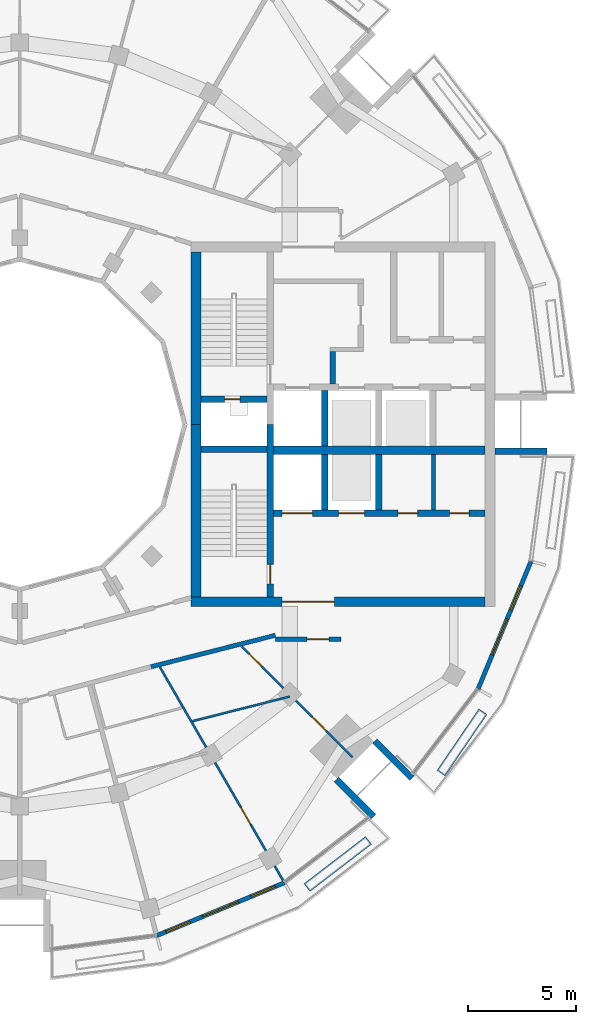
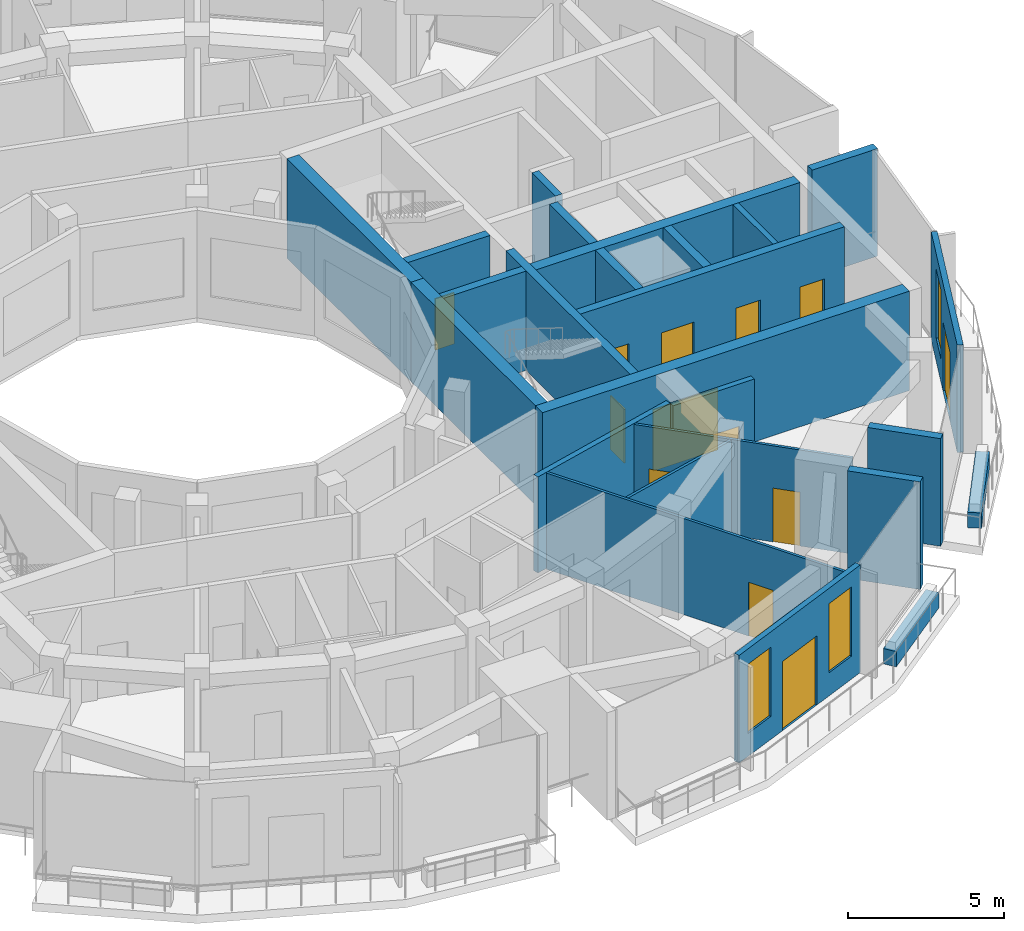
# One storey, part 11 of 17: 25 walls, 13 doors, 3 windows, 16 openings.
"""IFC4 building model written with IfcOpenShell, lengths in metres."""

import ifcopenshell
import ifcopenshell.guid

model = None  # the IFC model being written
_history = None  # IfcOwnerHistory: only IFC2X3 demands one
_inside = {}  # id of a spatial element -> (the spatial element, [elements in it])
_under = {}  # id of a project, library or spatial element -> (it, [spatial elements below it])
_declared = {}  # id of a project -> (the project, [libraries it declares])
_typed = {}  # id of a type object -> (the type object, [elements of that type])
_made_of = {}  # id of a material, layer set ... -> (it, [elements and type objects made of it])


def new_model(schema):
    """Start an empty IFC model of exactly this schema.

    Asked for "IFC4X3", IfcOpenShell would pick the latest addendum, in which some entities
    have other attributes; the version numbers below select the first issue.
    IFC2X3 requires an IfcOwnerHistory on every rooted entity: one is made here for all.
    """
    global model, _history
    if schema == "IFC4X3":
        model = ifcopenshell.file(schema_version=(4, 3, 0, 0))
    else:
        model = ifcopenshell.file(schema=schema)
    _inside.clear()
    _under.clear()
    _declared.clear()
    _typed.clear()
    _made_of.clear()
    _history = None
    if model.schema == "IFC2X3":
        org = make("IfcOrganization", Name="unknown")
        user = make(
            "IfcPersonAndOrganization",
            ThePerson=make("IfcPerson", FamilyName="unknown"),
            TheOrganization=org,
        )
        app = make(
            "IfcApplication",
            ApplicationDeveloper=org,
            Version="unknown",
            ApplicationFullName="unknown",
            ApplicationIdentifier="unknown",
        )
        _history = make(
            "IfcOwnerHistory",
            OwningUser=user,
            OwningApplication=app,
            ChangeAction="ADDED",
            CreationDate=0,
        )
    return model


def make(cls, **values):
    """One entity of the class cls with the attributes given. An attribute that is None is left unset."""
    return model.create_entity(
        cls, **{name: value for name, value in values.items() if value is not None}
    )


def rooted(cls, **values):
    """An entity with a GlobalId (a new one), such as an element, a storey or a relation."""
    return make(cls, GlobalId=ifcopenshell.guid.new(), OwnerHistory=_history, **values)


def si_unit(unit_type, name, prefix=None):
    """IfcSIUnit, for example si_unit("LENGTHUNIT", "METRE", prefix="MILLI")."""
    return make("IfcSIUnit", UnitType=unit_type, Prefix=prefix, Name=name)


def assignment(units):
    """IfcUnitAssignment: the units of a project."""
    return None if units is None else make("IfcUnitAssignment", Units=units)


def point(xyz):
    """IfcCartesianPoint."""
    return None if xyz is None else make("IfcCartesianPoint", Coordinates=xyz)


def direction(xyz):
    """IfcDirection."""
    return None if xyz is None else make("IfcDirection", DirectionRatios=xyz)


def frame(location, z_axis=None, x_axis=None):
    """IfcAxis2Placement3D, a coordinate frame: its origin and axes. An axis left out is left unset."""
    return make(
        "IfcAxis2Placement3D",
        Location=point(location),
        Axis=direction(z_axis),
        RefDirection=direction(x_axis),
    )


def frame_2d(location, x_axis=None):
    """IfcAxis2Placement2D, a coordinate frame in the plane: its origin and x axis."""
    return make(
        "IfcAxis2Placement2D", Location=point(location), RefDirection=direction(x_axis)
    )


def origin():
    """The frame at (0, 0, 0) with its axes left unset."""
    return frame((0.0, 0.0, 0.0))


def place(relative_to, where):
    """IfcLocalPlacement: puts the frame where relative to a parent placement (None: the world)."""
    return make(
        "IfcLocalPlacement", PlacementRelTo=relative_to, RelativePlacement=where
    )


def context(
    kind, dimensions, precision=None, world=None, true_north=None, identifier=None
):
    """IfcGeometricRepresentationContext, for example the 3D "Model" context."""
    return make(
        "IfcGeometricRepresentationContext",
        ContextIdentifier=identifier,
        ContextType=kind,
        CoordinateSpaceDimension=dimensions,
        Precision=precision,
        WorldCoordinateSystem=world,
        TrueNorth=true_north,
    )


def subcontext(parent, identifier, kind, view, scale=None):
    """IfcGeometricRepresentationSubContext, for example "Body" below "Model"."""
    return make(
        "IfcGeometricRepresentationSubContext",
        ContextIdentifier=identifier,
        ContextType=kind,
        ParentContext=parent,
        TargetScale=scale,
        TargetView=view,
    )


def project(units=None, contexts=None):
    """IfcProject with its units and contexts."""
    return rooted(
        "IfcProject",
        Name="project",
        RepresentationContexts=contexts,
        UnitsInContext=assignment(units),
    )


def spatial(cls, under=None, at=None, **own):
    """A site, building, storey or space (cls), placed at a placement, below another one or the project."""
    s = rooted(cls, ObjectPlacement=at, **own)
    if under is not None:
        _under.setdefault(under.id(), (under, []))[1].append(s)
    return s


def profile(cls, at=None, kind="AREA", **sizes):
    """A parametric profile (cls). Its sizes go by their IFC names, for example OverallWidth=200.0."""
    return make(cls, ProfileType=kind, Position=at, **sizes)


def rectangle(**sizes):
    """IfcRectangleProfileDef."""
    return profile("IfcRectangleProfileDef", **sizes)


def extrude(swept, where, along, depth):
    """IfcExtrudedAreaSolid: the profile swept, set in the frame where, extruded along a direction by depth."""
    return make(
        "IfcExtrudedAreaSolid",
        SweptArea=swept,
        Position=where,
        ExtrudedDirection=direction(along),
        Depth=depth,
    )


def shape(context_of_items, identifier, shape_type, items):
    """IfcShapeRepresentation: the items that make up one representation, for example the "Body"."""
    return make(
        "IfcShapeRepresentation",
        ContextOfItems=context_of_items,
        RepresentationIdentifier=identifier,
        RepresentationType=shape_type,
        Items=items,
    )


def material(Name=None, Category=None):
    """IfcMaterial."""
    return make("IfcMaterial", Name=Name, Category=Category)


def layer(
    of_material, thickness, ventilated=None, Name=None, Category=None, Priority=None
):
    """IfcMaterialLayer: one layer of a wall or slab, of a material (None: an air gap)."""
    return make(
        "IfcMaterialLayer",
        Material=of_material,
        LayerThickness=thickness,
        IsVentilated=ventilated,
        Name=Name,
        Category=Category,
        Priority=Priority,
    )


def layer_set(layers, Name=None):
    """IfcMaterialLayerSet."""
    return make("IfcMaterialLayerSet", MaterialLayers=layers, LayerSetName=Name)


def made_of(thing, what):
    """Note that an element or type object is made of a material, layer set ...; save() writes the relation."""
    if what is not None:
        _made_of.setdefault(what.id(), (what, []))[1].append(thing)
    return thing


def type_object(cls, material=None, **own):
    """A type object (cls), such as IfcWallType, which elements share."""
    return made_of(rooted(cls, **own), material)


def element(
    cls,
    number,
    at=None,
    inside=None,
    cuts=None,
    type_object=None,
    material=None,
    context=None,
    identifier="Body",
    shape_type=None,
    held_by="IfcProductDefinitionShape",
    body=None,
    shapes=None,
    **own,
):
    """One element of the class cls, such as IfcWall. Its Tag is "e" and its number.

    at: its placement. inside: the storey or other place that contains it. cuts: it is an
    opening in that element (IfcRelVoidsElement). A single representation is given by context,
    identifier, shape_type and body (its items); several are given by shapes. held_by: the class
    of the entity that holds the representations. save() writes the other relations.
    """
    e = rooted(cls, Tag="e%d" % number, ObjectPlacement=at, **own)
    if body is not None:
        shapes = [shape(context, identifier, shape_type, body)]
    if shapes is not None:
        e.Representation = make(held_by, Representations=shapes)
    if inside is not None:
        _inside.setdefault(inside.id(), (inside, []))[1].append(e)
    if cuts is not None:
        rooted(
            "IfcRelVoidsElement", RelatingBuildingElement=cuts, RelatedOpeningElement=e
        )
    if type_object is not None:
        _typed.setdefault(type_object.id(), (type_object, []))[1].append(e)
    return made_of(e, material)


def fill(opening, filler):
    """IfcRelFillsElement: the door or window that sits in an opening."""
    return rooted(
        "IfcRelFillsElement",
        RelatingOpeningElement=opening,
        RelatedBuildingElement=filler,
    )


def aggregate(whole, parts):
    """IfcRelAggregates: a whole, such as a stair, and the parts it consists of."""
    return rooted("IfcRelAggregates", RelatingObject=whole, RelatedObjects=parts)


def save(model, path):
    """Write the relations noted so far, then the file.

    IfcRelAggregates (storeys below a building ...), IfcRelContainedInSpatialStructure (elements
    in a storey), IfcRelDefinesByType, IfcRelAssociatesMaterial and IfcRelDeclares: one each for
    every whole, place, type object, material and project.
    """
    for whole, parts in _under.values():
        aggregate(whole, parts)
    for where, things in _inside.values():
        rooted(
            "IfcRelContainedInSpatialStructure",
            RelatedElements=things,
            RelatingStructure=where,
        )
    for kind, things in _typed.values():
        rooted("IfcRelDefinesByType", RelatedObjects=things, RelatingType=kind)
    for what, things in _made_of.values():
        rooted("IfcRelAssociatesMaterial", RelatedObjects=things, RelatingMaterial=what)
    for by, libraries in _declared.values():
        rooted("IfcRelDeclares", RelatingContext=by, RelatedDefinitions=libraries)
    model.write(path)


model = new_model("IFC4")

# Units and contexts
model_context = context("Model", 3, precision=1e-05, world=origin(), true_north=direction((0.0, 1.0)))
body_context = subcontext(model_context, "Body", "Model", "MODEL_VIEW")
ifc_project = project(units=[si_unit("LENGTHUNIT", "METRE"), si_unit("AREAUNIT", "SQUARE_METRE"), si_unit("VOLUMEUNIT", "CUBIC_METRE"), si_unit("PLANEANGLEUNIT", "RADIAN"), si_unit("MASSUNIT", "GRAM", prefix="KILO")], contexts=[model_context])

# Site, building, storey
site_placement = place(None, origin())
site = spatial("IfcSite", under=ifc_project, at=site_placement, CompositionType="ELEMENT")
building_placement = place(site_placement, origin())
building = spatial("IfcBuilding", under=site, at=building_placement, Name="Torre Brocal", CompositionType="ELEMENT")
storey_placement = place(building_placement, frame((0.0, 0.0, 275.699951171875)))
storey = spatial("IfcBuildingStorey", under=building, at=storey_placement, Name="L63", CompositionType="ELEMENT", Elevation=275.699951171875)

# Walls
ifc_material_1 = material(Name="Masonry block", Category="masonry")
ifc_layer_1 = layer(ifc_material_1, 0.199951171875)
ifc_layer_set_1 = layer_set([ifc_layer_1], Name="Masonry block")
wall_type_1 = type_object("IfcWallType", Name="CORE PARTITION 200", PredefinedType="PARTITIONING", material=ifc_layer_set_1)
wall_1_placement = place(storey_placement, frame((99.074951171875, 71.050048828125, 0.0), z_axis=(0.0, 0.0, 1.0), x_axis=(0.0, 1.0, 0.0)))
element("IfcWall", 1, at=wall_1_placement, inside=storey, type_object=wall_type_1, Name="Wall CP200", PredefinedType="PARTITIONING", context=body_context, shape_type="SweptSolid", body=[
    extrude(rectangle(XDim=2.550048828125, YDim=0.199951171875, at=frame_2d((1.27490234375, 0.0))), origin(), (0.0, 0.0, 1.0), 3.880126953125),
])
ifc_material_2 = material(Name="Concrete C50", Category="concrete")
ifc_layer_2 = layer(ifc_material_2, 0.25)
ifc_layer_set_2 = layer_set([ifc_layer_2], Name="Concrete C50")
wall_type_2 = type_object("IfcWallType", Name="CORE WALL 250 C50", PredefinedType="SHEAR", material=ifc_layer_set_2)
wall_2_placement = place(storey_placement, frame((94.425048828125, 76.85009765625, 0.0), z_axis=(0.0, 0.0, 1.0), x_axis=(0.0, 1.0, 0.0)))
element("IfcWall", 2, at=wall_2_placement, inside=storey, type_object=wall_type_2, Name="Wall CW250-50", PredefinedType="SHEAR", context=body_context, shape_type="SweptSolid", body=[
    extrude(rectangle(XDim=1.5, YDim=0.25, at=frame_2d((0.75, 0.0))), origin(), (0.0, 0.0, 1.0), 3.880126953125),
])

# Wall, opening, door
ifc_material_3 = material(Name="Concrete C50", Category="concrete")
ifc_layer_3 = layer(ifc_material_3, 0.300048828125)
ifc_layer_set_3 = layer_set([ifc_layer_3], Name="Concrete C50")
wall_type_3 = type_object("IfcWallType", Name="CORE WALL 300 C50", PredefinedType="SHEAR", material=ifc_layer_set_3)
wall_3_placement = place(storey_placement, frame((91.550048828125, 67.050048828125, 0.0), z_axis=(0.0, 0.0, 1.0), x_axis=(0.0, 1.0, 0.0)))
wall_3 = element("IfcWall", 3, at=wall_3_placement, inside=storey, type_object=wall_type_3, Name="Wall CW300-50", PredefinedType="SHEAR", context=body_context, shape_type="SweptSolid", body=[
    extrude(rectangle(XDim=7.949951171875, YDim=0.300048828125, at=frame_2d((3.97509765625, 0.0))), origin(), (0.0, 0.0, 1.0), 3.880126953125),
])
opening_1_placement = place(wall_3_placement, frame((0.60009765625, 0.0, 0.0)))
opening_1 = element("IfcOpeningElement", 4, at=opening_1_placement, cuts=wall_3, Name="Opening E-D03", PredefinedType="OPENING", context=body_context, shape_type="SweptSolid", body=[
    extrude(rectangle(XDim=0.89990234375, YDim=2.10009765625, at=frame_2d((0.449951171875, 1.050048828125))), frame((0.0, 0.159912109375, 0.0), z_axis=(0.0, -1.0, 0.0), x_axis=(1.0, 0.0, 0.0)), (0.0, 0.0, 1.0), 0.320068359375),
])
ifc_material_4 = material(Name="Steel A653", Category="steel")
door_type_1 = type_object("IfcDoorType", Name="STAIR DOOR FD120 900X2100", OperationType="SINGLE_SWING_RIGHT", PredefinedType="DOOR", material=ifc_material_4)
door_1_placement = place(opening_1_placement, origin())
door_1 = element("IfcDoor", 5, at=door_1_placement, inside=storey, type_object=door_type_1, Name="Door E-D03", OperationType="SINGLE_SWING_LEFT", OverallHeight=2.10009765625, OverallWidth=0.89990234375, PredefinedType="DOOR", context=body_context, shape_type="SweptSolid", body=[
    extrude(rectangle(XDim=0.89990234375, YDim=2.10009765625, at=frame_2d((0.449951171875, 1.050048828125))), frame((0.0, 0.02490234375, 0.0), z_axis=(0.0, -1.0, 0.0), x_axis=(1.0, 0.0, 0.0)), (0.0, 0.0, 1.0), 0.050048828125),
])
fill(opening_1, door_1)

wall_4_placement = place(storey_placement, frame((88.35009765625, 76.14990234375, 0.0), z_axis=(0.0, 0.0, 1.0), x_axis=(1.0, 0.0, 0.0)))
wall_4 = element("IfcWall", 6, at=wall_4_placement, inside=storey, type_object=wall_type_3, Name="Wall CW300-50", PredefinedType="SHEAR", context=body_context, shape_type="SweptSolid", body=[
    extrude(rectangle(XDim=3.0498046875, YDim=0.300048828125, at=frame_2d((1.52490234375, 0.0))), origin(), (0.0, 0.0, 1.0), 3.880126953125),
])
opening_2_placement = place(wall_4_placement, frame((1.10009765625, 0.0, 0.0)))
opening_2 = element("IfcOpeningElement", 7, at=opening_2_placement, cuts=wall_4, Name="Opening E-D01", PredefinedType="OPENING", context=body_context, shape_type="SweptSolid", body=[
    extrude(rectangle(XDim=0.699951171875, YDim=2.0, at=frame_2d((0.35009765625, 1.0))), frame((0.0, 0.159912109375, 0.0), z_axis=(0.0, -1.0, 0.0), x_axis=(1.0, 0.0, 0.0)), (0.0, 0.0, 1.0), 0.320068359375),
])
ifc_material_5 = material(Name="Steel A653", Category="steel")
door_type_2 = type_object("IfcDoorType", Name="RISER DOOR FD120 700X2000", OperationType="SINGLE_SWING_LEFT", PredefinedType="DOOR", material=ifc_material_5)
door_2_placement = place(opening_2_placement, frame((0.699951171875, 0.0, 0.0), z_axis=(0.0, 0.0, 1.0), x_axis=(-1.0, 0.0, 0.0)))
door_2 = element("IfcDoor", 8, at=door_2_placement, inside=storey, type_object=door_type_2, Name="Door E-D01", OperationType="SINGLE_SWING_RIGHT", OverallHeight=2.0, OverallWidth=0.699951171875, PredefinedType="DOOR", context=body_context, shape_type="SweptSolid", body=[
    extrude(rectangle(XDim=0.699951171875, YDim=2.0, at=frame_2d((0.35009765625, 1.0))), frame((0.0, 0.02490234375, 0.0), z_axis=(0.0, -1.0, 0.0), x_axis=(1.0, 0.0, 0.0)), (0.0, 0.0, 1.0), 0.050048828125),
])
fill(opening_2, door_2)

# Wall
wall_5_placement = place(storey_placement, frame((88.35009765625, 73.85009765625, 0.0), z_axis=(0.0, 0.0, 1.0), x_axis=(1.0, 0.0, 0.0)))
element("IfcWall", 9, at=wall_5_placement, inside=storey, type_object=wall_type_3, Name="Wall CW300-50", PredefinedType="SHEAR", context=body_context, shape_type="SweptSolid", body=[
    extrude(rectangle(XDim=3.0498046875, YDim=0.300048828125, at=frame_2d((1.52490234375, 0.0))), origin(), (0.0, 0.0, 1.0), 3.880126953125),
])

# Wall, openings, doors
wall_6_placement = place(storey_placement, frame((91.699951171875, 70.89990234375, 0.0), z_axis=(0.0, 0.0, 1.0), x_axis=(1.0, 0.0, 0.0)))
wall_6 = element("IfcWall", 10, at=wall_6_placement, inside=storey, type_object=wall_type_3, Name="Wall CW300-50", PredefinedType="SHEAR", context=body_context, shape_type="SweptSolid", body=[
    extrude(rectangle(XDim=9.75, YDim=0.300048828125, at=frame_2d((4.875, 0.0))), origin(), (0.0, 0.0, 1.0), 3.880126953125),
])
opening_3_placement = place(wall_6_placement, frame((0.39990234375, 0.0, 0.0)))
opening_3 = element("IfcOpeningElement", 11, at=opening_3_placement, cuts=wall_6, Name="Opening LD14", PredefinedType="OPENING", context=body_context, shape_type="SweptSolid", body=[
    extrude(rectangle(XDim=1.39990234375, YDim=2.10009765625, at=frame_2d((0.699951171875, 1.050048828125))), frame((0.0, 0.159912109375, 0.0), z_axis=(0.0, -1.0, 0.0), x_axis=(1.0, 0.0, 0.0)), (0.0, 0.0, 1.0), 0.320068359375),
])
opening_4_placement = place(wall_6_placement, frame((3.0, 0.0, 0.0)))
opening_4 = element("IfcOpeningElement", 12, at=opening_4_placement, cuts=wall_6, Name="Opening LD12", PredefinedType="OPENING", context=body_context, shape_type="SweptSolid", body=[
    extrude(rectangle(XDim=1.199951171875, YDim=2.10009765625, at=frame_2d((0.60009765625, 1.050048828125))), frame((0.0, 0.159912109375, 0.0), z_axis=(0.0, -1.0, 0.0), x_axis=(1.0, 0.0, 0.0)), (0.0, 0.0, 1.0), 0.320068359375),
])
opening_5_placement = place(wall_6_placement, frame((5.737548828125, 0.0, 0.0)))
opening_5 = element("IfcOpeningElement", 13, at=opening_5_placement, cuts=wall_6, Name="Opening E-D05", PredefinedType="OPENING", context=body_context, shape_type="SweptSolid", body=[
    extrude(rectangle(XDim=0.89990234375, YDim=2.10009765625, at=frame_2d((0.449951171875, 1.050048828125))), frame((0.0, 0.159912109375, 0.0), z_axis=(0.0, -1.0, 0.0), x_axis=(1.0, 0.0, 0.0)), (0.0, 0.0, 1.0), 0.320068359375),
])
opening_6_placement = place(wall_6_placement, frame((8.112548828125, 0.0, 0.0)))
opening_6 = element("IfcOpeningElement", 14, at=opening_6_placement, cuts=wall_6, Name="Opening E-D06", PredefinedType="OPENING", context=body_context, shape_type="SweptSolid", body=[
    extrude(rectangle(XDim=0.89990234375, YDim=2.10009765625, at=frame_2d((0.449951171875, 1.050048828125))), frame((0.0, 0.159912109375, 0.0), z_axis=(0.0, -1.0, 0.0), x_axis=(1.0, 0.0, 0.0)), (0.0, 0.0, 1.0), 0.320068359375),
])
ifc_material_6 = material(Name="Stainless steel AISI 316", Category="steel")
door_type_3 = type_object("IfcDoorType", Name="LIFT LANDING DOOR 1200X2100", OperationType="DOUBLE_DOOR_SLIDING", PredefinedType="DOOR", material=ifc_material_6)
door_3_placement = place(opening_4_placement, origin())
door_3 = element("IfcDoor", 15, at=door_3_placement, inside=storey, type_object=door_type_3, Name="Door LD12", OperationType="DOUBLE_DOOR_SLIDING", OverallHeight=2.10009765625, OverallWidth=1.199951171875, PredefinedType="DOOR", context=body_context, shape_type="SweptSolid", body=[
    extrude(rectangle(XDim=1.199951171875, YDim=2.10009765625, at=frame_2d((0.60009765625, 1.050048828125))), frame((0.0, 0.02490234375, 0.0), z_axis=(0.0, -1.0, 0.0), x_axis=(1.0, 0.0, 0.0)), (0.0, 0.0, 1.0), 0.050048828125),
])
fill(opening_4, door_3)
ifc_material_7 = material(Name="Stainless steel AISI 316", Category="steel")
door_type_4 = type_object("IfcDoorType", Name="LIFT LANDING DOOR 1400X2100", OperationType="DOUBLE_DOOR_SLIDING", PredefinedType="DOOR", material=ifc_material_7)
door_4_placement = place(opening_3_placement, origin())
door_4 = element("IfcDoor", 16, at=door_4_placement, inside=storey, type_object=door_type_4, Name="Door LD14", OperationType="DOUBLE_DOOR_SLIDING", OverallHeight=2.10009765625, OverallWidth=1.39990234375, PredefinedType="DOOR", context=body_context, shape_type="SweptSolid", body=[
    extrude(rectangle(XDim=1.39990234375, YDim=2.10009765625, at=frame_2d((0.699951171875, 1.050048828125))), frame((0.0, 0.02490234375, 0.0), z_axis=(0.0, -1.0, 0.0), x_axis=(1.0, 0.0, 0.0)), (0.0, 0.0, 1.0), 0.050048828125),
])
fill(opening_3, door_4)
ifc_material_8 = material(Name="Steel A653", Category="steel")
door_type_5 = type_object("IfcDoorType", Name="ROOM DOOR FD30S 900X2100", OperationType="SINGLE_SWING_LEFT", PredefinedType="DOOR", material=ifc_material_8)
door_5_placement = place(opening_5_placement, origin())
door_5 = element("IfcDoor", 17, at=door_5_placement, inside=storey, type_object=door_type_5, Name="Door E-D05", OperationType="SINGLE_SWING_RIGHT", OverallHeight=2.10009765625, OverallWidth=0.89990234375, PredefinedType="DOOR", context=body_context, shape_type="SweptSolid", body=[
    extrude(rectangle(XDim=0.89990234375, YDim=2.10009765625, at=frame_2d((0.449951171875, 1.050048828125))), frame((0.0, 0.02490234375, 0.0), z_axis=(0.0, -1.0, 0.0), x_axis=(1.0, 0.0, 0.0)), (0.0, 0.0, 1.0), 0.050048828125),
])
fill(opening_5, door_5)
door_6_placement = place(opening_6_placement, origin())
door_6 = element("IfcDoor", 18, at=door_6_placement, inside=storey, type_object=door_type_5, Name="Door E-D06", OperationType="SINGLE_SWING_LEFT", OverallHeight=2.10009765625, OverallWidth=0.89990234375, PredefinedType="DOOR", context=body_context, shape_type="SweptSolid", body=[
    extrude(rectangle(XDim=0.89990234375, YDim=2.10009765625, at=frame_2d((0.449951171875, 1.050048828125))), frame((0.0, 0.02490234375, 0.0), z_axis=(0.0, -1.0, 0.0), x_axis=(1.0, 0.0, 0.0)), (0.0, 0.0, 1.0), 0.050048828125),
])
fill(opening_6, door_6)

# Walls
for number, where, z_axis, x_axis, name in (
    (19, (94.050048828125, 74.0, 0.0), (0.0, 0.0, 1.0), (0.0, 1.0, 0.0), "Wall CW300-50"),
    (20, (94.050048828125, 71.050048828125, 0.0), (0.0, 0.0, 1.0), (0.0, 1.0, 0.0), "Wall CW300-50"),
    (21, (96.550048828125, 71.050048828125, 0.0), (0.0, 0.0, 1.0), (0.0, 1.0, 0.0), "Wall CW300-50"),
):
    element("IfcWall", number, at=place(storey_placement, frame(where, z_axis=z_axis, x_axis=x_axis)), inside=storey, type_object=wall_type_3, Name=name, PredefinedType="SHEAR", context=body_context, shape_type="SweptSolid", body=[
        extrude(rectangle(XDim=2.550048828125, YDim=0.300048828125, at=frame_2d((1.27490234375, 0.0))), origin(), (0.0, 0.0, 1.0), 3.880126953125),
    ])
ifc_material_9 = material(Name="Concrete C50", Category="concrete")
ifc_layer_4 = layer(ifc_material_9, 0.39990234375)
ifc_layer_set_4 = layer_set([ifc_layer_4], Name="Concrete C50")
wall_type_4 = type_object("IfcWallType", Name="CORE WALL 400 C50", PredefinedType="SHEAR", material=ifc_layer_set_4)
wall_7_placement = place(storey_placement, frame((91.699951171875, 73.800048828125, 0.0), z_axis=(0.0, 0.0, 1.0), x_axis=(1.0, 0.0, 0.0)))
element("IfcWall", 22, at=wall_7_placement, inside=storey, type_object=wall_type_4, Name="Wall CW400-50", PredefinedType="SHEAR", context=body_context, shape_type="SweptSolid", body=[
    extrude(rectangle(XDim=9.75, YDim=0.39990234375, at=frame_2d((4.875, 0.0))), origin(), (0.0, 0.0, 1.0), 3.880126953125),
])

# Wall, opening, door
ifc_material_10 = material(Name="Concrete C50", Category="concrete")
ifc_layer_5 = layer(ifc_material_10, 0.449951171875)
ifc_layer_set_5 = layer_set([ifc_layer_5], Name="Concrete C50")
wall_type_5 = type_object("IfcWallType", Name="CORE WALL 450 C50", PredefinedType="SHEAR", material=ifc_layer_set_5)
wall_8_placement = place(storey_placement, frame((87.89990234375, 66.824951171875, 0.0), z_axis=(0.0, 0.0, 1.0), x_axis=(1.0, 0.0, 0.0)))
wall_8 = element("IfcWall", 23, at=wall_8_placement, inside=storey, type_object=wall_type_5, Name="Wall CW450-50", PredefinedType="SHEAR", context=body_context, shape_type="SweptSolid", body=[
    extrude(rectangle(XDim=13.550048828125, YDim=0.449951171875, at=frame_2d((6.77490234375, 0.0))), origin(), (0.0, 0.0, 1.0), 3.880126953125),
])
opening_7_placement = place(wall_8_placement, frame((4.199951171875, 0.0, 0.0)))
opening_7 = element("IfcOpeningElement", 24, at=opening_7_placement, cuts=wall_8, Name="Opening E-D34", PredefinedType="OPENING", context=body_context, shape_type="SweptSolid", body=[
    extrude(rectangle(XDim=2.39990234375, YDim=2.39990234375, at=frame_2d((1.199951171875, 1.199951171875))), frame((0.0, 0.23486328125, 0.0), z_axis=(0.0, -1.0, 0.0), x_axis=(1.0, 0.0, 0.0)), (0.0, 0.0, 1.0), 0.469970703125),
])
ifc_material_11 = material(Name="Steel A653", Category="steel")
door_type_6 = type_object("IfcDoorType", Name="DOUBLE FIRE DOOR FD90 2400X2400", OperationType="DOUBLE_DOOR_SINGLE_SWING", PredefinedType="DOOR", material=ifc_material_11)
door_7_placement = place(opening_7_placement, origin())
door_7 = element("IfcDoor", 25, at=door_7_placement, inside=storey, type_object=door_type_6, Name="Door E-D34", OperationType="DOUBLE_DOOR_SINGLE_SWING", OverallHeight=2.39990234375, OverallWidth=2.39990234375, PredefinedType="DOOR", context=body_context, shape_type="SweptSolid", body=[
    extrude(rectangle(XDim=2.39990234375, YDim=2.39990234375, at=frame_2d((1.199951171875, 1.199951171875))), frame((0.0, 0.02490234375, 0.0), z_axis=(0.0, -1.0, 0.0), x_axis=(1.0, 0.0, 0.0)), (0.0, 0.0, 1.0), 0.050048828125),
])
fill(opening_7, door_7)

# Walls
for number, where, z_axis, x_axis, name in (
    (26, (88.125, 75.0, 0.0), (0.0, 0.0, 1.0), (0.0, 1.0, 0.0), "Wall CW450-50"),
    (27, (88.125, 67.050048828125, 0.0), (0.0, 0.0, 1.0), (0.0, 1.0, 0.0), "Wall CW450-50"),
):
    element("IfcWall", number, at=place(storey_placement, frame(where, z_axis=z_axis, x_axis=x_axis)), inside=storey, type_object=wall_type_5, Name=name, PredefinedType="SHEAR", context=body_context, shape_type="SweptSolid", body=[
        extrude(rectangle(XDim=7.949951171875, YDim=0.449951171875, at=frame_2d((3.97509765625, 0.0))), origin(), (0.0, 0.0, 1.0), 3.880126953125),
    ])

# Wall, openings, door, windows
ifc_material_12 = material(Name="Concrete C40", Category="concrete")
ifc_layer_6 = layer(ifc_material_12, 0.199951171875)
ifc_layer_set_6 = layer_set([ifc_layer_6], Name="Concrete C40")
wall_type_6 = type_object("IfcWallType", Name="EXTERNAL WALL 200", PredefinedType="NOTDEFINED", material=ifc_layer_set_6)
wall_9_placement = place(storey_placement, frame((86.31494140625, 51.43212890625, 0.0), z_axis=(0.0, 0.0, 1.0), x_axis=(0.923876679743, 0.382690319485, 0.0)))
wall_9 = element("IfcWall", 28, at=wall_9_placement, inside=storey, type_object=wall_type_6, Name="EXTERNAL WALL", PredefinedType="NOTDEFINED", context=body_context, shape_type="SweptSolid", body=[
    extrude(rectangle(XDim=6.369384765625, YDim=0.199951171875, at=frame_2d((3.1845703125, 0.0))), origin(), (0.0, 0.0, 1.0), 4.199951171875),
])
opening_8_placement = place(wall_9_placement, frame((0.461669921875, 0.0, 0.89990234375)))
opening_8 = element("IfcOpeningElement", 29, at=opening_8_placement, cuts=wall_9, Name="Opening W9", PredefinedType="OPENING", context=body_context, shape_type="SweptSolid", body=[
    extrude(rectangle(XDim=1.199951171875, YDim=2.699951171875, at=frame_2d((0.60009765625, 1.35009765625))), frame((0.0, 0.10986328125, 0.0), z_axis=(0.0, -1.0, 0.0), x_axis=(1.0, 0.0, 0.0)), (0.0, 0.0, 1.0), 0.219970703125),
])
opening_9_placement = place(wall_9_placement, frame((2.28466796875, 0.0, 0.0)))
opening_9 = element("IfcOpeningElement", 30, at=opening_9_placement, cuts=wall_9, Name="Opening L63-E07", PredefinedType="OPENING", context=body_context, shape_type="SweptSolid", body=[
    extrude(rectangle(XDim=1.800048828125, YDim=2.699951171875, at=frame_2d((0.89990234375, 1.35009765625))), frame((0.0, 0.10986328125, 0.0), z_axis=(0.0, -1.0, 0.0), x_axis=(1.0, 0.0, 0.0)), (0.0, 0.0, 1.0), 0.219970703125),
])
opening_10_placement = place(wall_9_placement, frame((4.707763671875, 0.0, 0.89990234375)))
opening_10 = element("IfcOpeningElement", 31, at=opening_10_placement, cuts=wall_9, Name="Opening W9", PredefinedType="OPENING", context=body_context, shape_type="SweptSolid", body=[
    extrude(rectangle(XDim=1.199951171875, YDim=2.699951171875, at=frame_2d((0.60009765625, 1.35009765625))), frame((0.0, 0.10986328125, 0.0), z_axis=(0.0, -1.0, 0.0), x_axis=(1.0, 0.0, 0.0)), (0.0, 0.0, 1.0), 0.219970703125),
])
ifc_material_13 = material(Name="Aluminium and glass", Category="aluminium")
door_type_7 = type_object("IfcDoorType", Name="PENTHOUSE TERRACE DOUBLE DOOR 1800X2700", OperationType="DOUBLE_DOOR_SINGLE_SWING", PredefinedType="DOOR", material=ifc_material_13)
door_8_placement = place(opening_9_placement, frame((1.800048828125, 0.0, 0.0), z_axis=(0.0, 0.0, 1.0), x_axis=(-1.0, 0.0, 0.0)))
door_8 = element("IfcDoor", 32, at=door_8_placement, inside=storey, type_object=door_type_7, Name="DOOR L63-E07", OperationType="DOUBLE_DOOR_SINGLE_SWING", OverallHeight=2.699951171875, OverallWidth=1.800048828125, PredefinedType="DOOR", context=body_context, shape_type="SweptSolid", body=[
    extrude(rectangle(XDim=1.800048828125, YDim=2.699951171875, at=frame_2d((0.89990234375, 1.35009765625))), frame((0.0, 0.02490234375, 0.0), z_axis=(0.0, -1.0, 0.0), x_axis=(1.0, 0.0, 0.0)), (0.0, 0.0, 1.0), 0.050048828125),
])
fill(opening_9, door_8)
ifc_material_14 = material(Name="Aluminium and glass", Category="aluminium")
window_type = type_object("IfcWindowType", Name="PENTHOUSE TERRACE WINDOW 1200X2700", PartitioningType="SINGLE_PANEL", PredefinedType="WINDOW", material=ifc_material_14)
window_1_placement = place(opening_8_placement, origin())
window_1 = element("IfcWindow", 33, at=window_1_placement, inside=storey, type_object=window_type, Name="PENTHOUSE TERRACE WINDOW 1200X2700", OverallHeight=2.699951171875, OverallWidth=1.199951171875, PartitioningType="SINGLE_PANEL", PredefinedType="WINDOW", context=body_context, shape_type="SweptSolid", body=[
    extrude(rectangle(XDim=1.199951171875, YDim=2.699951171875, at=frame_2d((0.60009765625, 1.35009765625))), frame((0.0, 0.030029296875, 0.0), z_axis=(0.0, -1.0, 0.0), x_axis=(1.0, 0.0, 0.0)), (0.0, 0.0, 1.0), 0.06005859375),
])
fill(opening_8, window_1)
window_2_placement = place(opening_10_placement, origin())
window_2 = element("IfcWindow", 34, at=window_2_placement, inside=storey, type_object=window_type, Name="PENTHOUSE TERRACE WINDOW 1200X2700", OverallHeight=2.699951171875, OverallWidth=1.199951171875, PartitioningType="SINGLE_PANEL", PredefinedType="WINDOW", context=body_context, shape_type="SweptSolid", body=[
    extrude(rectangle(XDim=1.199951171875, YDim=2.699951171875, at=frame_2d((0.60009765625, 1.35009765625))), frame((0.0, 0.030029296875, 0.0), z_axis=(0.0, -1.0, 0.0), x_axis=(1.0, 0.0, 0.0)), (0.0, 0.0, 1.0), 0.06005859375),
])
fill(opening_10, window_2)

# Wall, openings, door, window
wall_10_placement = place(storey_placement, frame((101.13037109375, 62.800537109375, 0.0), z_axis=(0.0, 0.0, 1.0), x_axis=(0.382690319485, 0.923876679743, 0.0)))
wall_10 = element("IfcWall", 35, at=wall_10_placement, inside=storey, type_object=wall_type_6, Name="EXTERNAL WALL", PredefinedType="NOTDEFINED", context=body_context, shape_type="SweptSolid", body=[
    extrude(rectangle(XDim=6.369384765625, YDim=0.199951171875, at=frame_2d((3.1845703125, 0.0))), origin(), (0.0, 0.0, 1.0), 4.199951171875),
])
opening_11_placement = place(wall_10_placement, frame((1.699951171875, 0.0, 0.0)))
opening_11 = element("IfcOpeningElement", 36, at=opening_11_placement, cuts=wall_10, Name="Opening L63-E08", PredefinedType="OPENING", context=body_context, shape_type="SweptSolid", body=[
    extrude(rectangle(XDim=1.800048828125, YDim=2.699951171875, at=frame_2d((0.89990234375, 1.35009765625))), frame((0.0, 0.10986328125, 0.0), z_axis=(0.0, -1.0, 0.0), x_axis=(1.0, 0.0, 0.0)), (0.0, 0.0, 1.0), 0.219970703125),
])
opening_12_placement = place(wall_10_placement, frame((3.949951171875, 0.0, 0.89990234375)))
opening_12 = element("IfcOpeningElement", 37, at=opening_12_placement, cuts=wall_10, Name="Opening W9", PredefinedType="OPENING", context=body_context, shape_type="SweptSolid", body=[
    extrude(rectangle(XDim=1.199951171875, YDim=2.699951171875, at=frame_2d((0.60009765625, 1.35009765625))), frame((0.0, 0.10986328125, 0.0), z_axis=(0.0, -1.0, 0.0), x_axis=(1.0, 0.0, 0.0)), (0.0, 0.0, 1.0), 0.219970703125),
])
door_9_placement = place(opening_11_placement, origin())
door_9 = element("IfcDoor", 38, at=door_9_placement, inside=storey, type_object=door_type_7, Name="DOOR L63-E08", OperationType="DOUBLE_DOOR_SINGLE_SWING", OverallHeight=2.699951171875, OverallWidth=1.800048828125, PredefinedType="DOOR", context=body_context, shape_type="SweptSolid", body=[
    extrude(rectangle(XDim=1.800048828125, YDim=2.699951171875, at=frame_2d((0.89990234375, 1.35009765625))), frame((0.0, 0.02490234375, 0.0), z_axis=(0.0, -1.0, 0.0), x_axis=(1.0, 0.0, 0.0)), (0.0, 0.0, 1.0), 0.050048828125),
])
fill(opening_11, door_9)
window_3_placement = place(opening_12_placement, origin())
window_3 = element("IfcWindow", 39, at=window_3_placement, inside=storey, type_object=window_type, Name="PENTHOUSE TERRACE WINDOW 1200X2700", OverallHeight=2.699951171875, OverallWidth=1.199951171875, PartitioningType="SINGLE_PANEL", PredefinedType="WINDOW", context=body_context, shape_type="SweptSolid", body=[
    extrude(rectangle(XDim=1.199951171875, YDim=2.699951171875, at=frame_2d((0.60009765625, 1.35009765625))), frame((0.0, 0.030029296875, 0.0), z_axis=(0.0, -1.0, 0.0), x_axis=(1.0, 0.0, 0.0)), (0.0, 0.0, 1.0), 0.06005859375),
])
fill(opening_12, window_3)

# Walls
ifc_material_15 = material(Name="Concrete C50", Category="concrete")
ifc_layer_7 = layer(ifc_material_15, 0.300048828125)
ifc_layer_set_7 = layer_set([ifc_layer_7], Name="Concrete C50")
wall_type_7 = type_object("IfcWallType", Name="NOTCH RETURN WALL 300 C50", PredefinedType="NOTDEFINED", material=ifc_layer_set_7)
wall_11_placement = place(storey_placement, frame((101.89990234375, 73.75, 0.0), z_axis=(0.0, 0.0, 1.0), x_axis=(1.0, 0.0, 0.0)))
element("IfcWall", 40, at=wall_11_placement, inside=storey, type_object=wall_type_7, Name="NOTCH RETURN WALL", PredefinedType="NOTDEFINED", context=body_context, shape_type="SweptSolid", body=[
    extrude(rectangle(XDim=2.415771484375, YDim=0.300048828125, at=frame_2d((1.2080078125, 0.0))), origin(), (0.0, 0.0, 1.0), 4.199951171875),
])
for number, where, z_axis, x_axis, name in (
    (41, (94.601806640625, 58.63037109375, 0.0), (0.0, 0.0, 1.0), (0.707106781187, -0.707106781187, 0.0), "NOTCH RETURN WALL"),
    (42, (96.36962890625, 60.398193359375, 0.0), (0.0, 0.0, 1.0), (0.707106781187, -0.707106781187, 0.0), "NOTCH RETURN WALL"),
):
    element("IfcWall", number, at=place(storey_placement, frame(where, z_axis=z_axis, x_axis=x_axis)), inside=storey, type_object=wall_type_7, Name=name, PredefinedType="NOTDEFINED", context=body_context, shape_type="SweptSolid", body=[
        extrude(rectangle(XDim=2.41552734375, YDim=0.300048828125, at=frame_2d((1.207763671875, 0.0))), origin(), (0.0, 0.0, 1.0), 4.199951171875),
    ])

# Wall, opening, door
ifc_material_16 = material(Name="Gypsum board", Category="Gypsum")
ifc_layer_8 = layer(ifc_material_16, 0.10009765625)
ifc_layer_set_8 = layer_set([ifc_layer_8], Name="Gypsum board")
wall_type_8 = type_object("IfcWallType", Name="PARTITION 100", PredefinedType="PARTITIONING", material=ifc_layer_set_8)
wall_12_placement = place(storey_placement, frame((86.461181640625, 63.810302734375, 0.0), z_axis=(0.0, 0.0, 1.0), x_axis=(0.499933609462, -0.866063730986, 0.0)))
wall_12 = element("IfcWall", 43, at=wall_12_placement, inside=storey, type_object=wall_type_8, Name="BATHROOM WALL", PredefinedType="PARTITIONING", context=body_context, shape_type="SweptSolid", body=[
    extrude(rectangle(XDim=11.37646484375, YDim=0.10009765625, at=frame_2d((5.688232421875, 0.0))), origin(), (0.0, 0.0, 1.0), 3.75),
])
opening_13_placement = place(wall_12_placement, frame((7.4697265625, 0.0, 0.0)))
opening_13 = element("IfcOpeningElement", 44, at=opening_13_placement, cuts=wall_12, Name="Opening N01-D25", PredefinedType="OPENING", context=body_context, shape_type="SweptSolid", body=[
    extrude(rectangle(XDim=0.89990234375, YDim=2.10009765625, at=frame_2d((0.449951171875, 1.050048828125))), frame((0.0, 0.06005859375, 0.0), z_axis=(0.0, -1.0, 0.0), x_axis=(1.0, 0.0, 0.0)), (0.0, 0.0, 1.0), 0.1201171875),
])
ifc_material_17 = material(Name="Timber", Category="wood")
door_type_8 = type_object("IfcDoorType", Name="ROOM DOOR 900X2100", OperationType="SINGLE_SWING_LEFT", PredefinedType="DOOR", material=ifc_material_17)
door_10_placement = place(opening_13_placement, origin())
door_10 = element("IfcDoor", 45, at=door_10_placement, inside=storey, type_object=door_type_8, Name="N01-D25", OperationType="SINGLE_SWING_RIGHT", OverallHeight=2.10009765625, OverallWidth=0.89990234375, PredefinedType="DOOR", context=body_context, shape_type="SweptSolid", body=[
    extrude(rectangle(XDim=0.89990234375, YDim=2.10009765625, at=frame_2d((0.449951171875, 1.050048828125))), frame((0.0, 0.02490234375, 0.0), z_axis=(0.0, -1.0, 0.0), x_axis=(1.0, 0.0, 0.0)), (0.0, 0.0, 1.0), 0.050048828125),
])
fill(opening_13, door_10)

# Wall
wall_13_placement = place(storey_placement, frame((87.96630859375, 61.318603515625, 0.0), z_axis=(0.0, 0.0, 1.0), x_axis=(0.969427184869, 0.245379162189, 0.0)))
element("IfcWall", 46, at=wall_13_placement, inside=storey, type_object=wall_type_8, Name="BATHROOM WALL", PredefinedType="PARTITIONING", context=body_context, shape_type="SweptSolid", body=[
    extrude(rectangle(XDim=4.62451171875, YDim=0.10009765625, at=frame_2d((2.312255859375, 0.0))), origin(), (0.0, 0.0, 1.0), 3.75),
])

# Wall, openings, doors
wall_14_placement = place(storey_placement, frame((90.239013671875, 64.760986328125, 0.0), z_axis=(0.0, 0.0, 1.0), x_axis=(0.707106781187, -0.707106781187, 0.0)))
wall_14 = element("IfcWall", 47, at=wall_14_placement, inside=storey, type_object=wall_type_8, Name="BATHROOM WALL", PredefinedType="PARTITIONING", context=body_context, shape_type="SweptSolid", body=[
    extrude(rectangle(XDim=7.22021484375, YDim=0.10009765625, at=frame_2d((3.610107421875, 0.0))), origin(), (0.0, 0.0, 1.0), 3.75),
])
opening_14_placement = place(wall_14_placement, frame((4.591552734375, 0.0, 0.0)))
opening_14 = element("IfcOpeningElement", 48, at=opening_14_placement, cuts=wall_14, Name="Opening N01-D23", PredefinedType="OPENING", context=body_context, shape_type="SweptSolid", body=[
    extrude(rectangle(XDim=0.89990234375, YDim=2.10009765625, at=frame_2d((0.449951171875, 1.050048828125))), frame((0.0, 0.06005859375, 0.0), z_axis=(0.0, -1.0, 0.0), x_axis=(1.0, 0.0, 0.0)), (0.0, 0.0, 1.0), 0.1201171875),
])
opening_15_placement = place(wall_14_placement, frame((0.492431640625, 0.0, 0.0)))
opening_15 = element("IfcOpeningElement", 49, at=opening_15_placement, cuts=wall_14, Name="Opening N01-D24", PredefinedType="OPENING", context=body_context, shape_type="SweptSolid", body=[
    extrude(rectangle(XDim=0.800048828125, YDim=2.10009765625, at=frame_2d((0.39990234375, 1.050048828125))), frame((0.0, 0.06005859375, 0.0), z_axis=(0.0, -1.0, 0.0), x_axis=(1.0, 0.0, 0.0)), (0.0, 0.0, 1.0), 0.1201171875),
])
ifc_material_18 = material(Name="Timber", Category="wood")
door_type_9 = type_object("IfcDoorType", Name="BATHROOM DOOR 800X2100", OperationType="SINGLE_SWING_LEFT", PredefinedType="DOOR", material=ifc_material_18)
door_11_placement = place(opening_15_placement, frame((0.800048828125, 0.0, 0.0), z_axis=(0.0, 0.0, 1.0), x_axis=(-1.0, 0.0, 0.0)))
door_11 = element("IfcDoor", 50, at=door_11_placement, inside=storey, type_object=door_type_9, Name="N01-D24", OperationType="SINGLE_SWING_RIGHT", OverallHeight=2.10009765625, OverallWidth=0.800048828125, PredefinedType="DOOR", context=body_context, shape_type="SweptSolid", body=[
    extrude(rectangle(XDim=0.800048828125, YDim=2.10009765625, at=frame_2d((0.39990234375, 1.050048828125))), frame((0.0, 0.02490234375, 0.0), z_axis=(0.0, -1.0, 0.0), x_axis=(1.0, 0.0, 0.0)), (0.0, 0.0, 1.0), 0.050048828125),
])
fill(opening_15, door_11)
door_12_placement = place(opening_14_placement, origin())
door_12 = element("IfcDoor", 51, at=door_12_placement, inside=storey, type_object=door_type_8, Name="N01-D23", OperationType="SINGLE_SWING_RIGHT", OverallHeight=2.10009765625, OverallWidth=0.89990234375, PredefinedType="DOOR", context=body_context, shape_type="SweptSolid", body=[
    extrude(rectangle(XDim=0.89990234375, YDim=2.10009765625, at=frame_2d((0.449951171875, 1.050048828125))), frame((0.0, 0.02490234375, 0.0), z_axis=(0.0, -1.0, 0.0), x_axis=(1.0, 0.0, 0.0)), (0.0, 0.0, 1.0), 0.050048828125),
])
fill(opening_14, door_12)

# Wall
ifc_material_19 = material(Name="Gypsum board", Category="Gypsum")
ifc_layer_9 = layer(ifc_material_19, 0.199951171875)
ifc_layer_set_9 = layer_set([ifc_layer_9], Name="Gypsum board")
wall_type_9 = type_object("IfcWallType", Name="PARTITION 200 EI60", PredefinedType="PARTITIONING", material=ifc_layer_set_9)
wall_15_placement = place(storey_placement, frame((86.052978515625, 63.826171875, 0.0), z_axis=(0.0, 0.0, 1.0), x_axis=(0.969490004987, 0.245130843083, 0.0)))
element("IfcWall", 52, at=wall_15_placement, inside=storey, type_object=wall_type_9, Name="FLAT ENTRANCE WALL", PredefinedType="PARTITIONING", context=body_context, shape_type="SweptSolid", body=[
    extrude(rectangle(XDim=5.907958984375, YDim=0.199951171875, at=frame_2d((2.9541015625, 0.0))), origin(), (0.0, 0.0, 1.0), 3.75),
])

# Wall, opening, door
wall_16_placement = place(storey_placement, frame((91.800048828125, 65.10009765625, 0.0), z_axis=(0.0, 0.0, 1.0), x_axis=(1.0, 0.0, 0.0)))
wall_16 = element("IfcWall", 53, at=wall_16_placement, inside=storey, type_object=wall_type_9, Name="FLAT ENTRANCE WALL", PredefinedType="PARTITIONING", context=body_context, shape_type="SweptSolid", body=[
    extrude(rectangle(XDim=3.0, YDim=0.199951171875, at=frame_2d((1.5, 0.0))), origin(), (0.0, 0.0, 1.0), 3.75),
])
opening_16_placement = place(wall_16_placement, frame((1.449951171875, 0.0, 0.0)))
opening_16 = element("IfcOpeningElement", 54, at=opening_16_placement, cuts=wall_16, Name="Opening N01-D22", PredefinedType="OPENING", context=body_context, shape_type="SweptSolid", body=[
    extrude(rectangle(XDim=1.0, YDim=2.10009765625, at=frame_2d((0.5, 1.050048828125))), frame((0.0, 0.10986328125, 0.0), z_axis=(0.0, -1.0, 0.0), x_axis=(1.0, 0.0, 0.0)), (0.0, 0.0, 1.0), 0.219970703125),
])
ifc_material_20 = material(Name="Timber", Category="wood")
door_type_10 = type_object("IfcDoorType", Name="FLAT ENTRY DOOR FD30S 1000X2100", OperationType="SINGLE_SWING_RIGHT", PredefinedType="DOOR", material=ifc_material_20)
door_13_placement = place(opening_16_placement, frame((1.0, 0.0, 0.0), z_axis=(0.0, 0.0, 1.0), x_axis=(-1.0, 0.0, 0.0)))
door_13 = element("IfcDoor", 55, at=door_13_placement, inside=storey, type_object=door_type_10, Name="N01-D22", OperationType="SINGLE_SWING_RIGHT", OverallHeight=2.10009765625, OverallWidth=1.0, PredefinedType="DOOR", context=body_context, shape_type="SweptSolid", body=[
    extrude(rectangle(XDim=1.0, YDim=2.10009765625, at=frame_2d((0.5, 1.050048828125))), frame((0.0, 0.02490234375, 0.0), z_axis=(0.0, -1.0, 0.0), x_axis=(1.0, 0.0, 0.0)), (0.0, 0.0, 1.0), 0.050048828125),
])
fill(opening_16, door_13)

# Walls
ifc_material_21 = material(Name="Concrete C35", Category="concrete")
ifc_layer_10 = layer(ifc_material_21, 0.449951171875)
ifc_layer_set_10 = layer_set([ifc_layer_10], Name="Concrete C35")
wall_type_10 = type_object("IfcWallType", Name="PLANTER WALL 450 THICK 600 HIGH", PredefinedType="USERDEFINED", material=ifc_layer_set_10)
wall_17_placement = place(storey_placement, frame((93.243896484375, 53.647216796875, 0.0), z_axis=(0.0, 0.0, 1.0), x_axis=(0.793347717383, 0.608768756855, 0.0)))
element("IfcWall", 56, at=wall_17_placement, inside=storey, type_object=wall_type_10, Name="PLANTER", ObjectType="PLANTER", PredefinedType="USERDEFINED", context=body_context, shape_type="SweptSolid", body=[
    extrude(rectangle(XDim=3.5712890625, YDim=0.449951171875, at=frame_2d((1.78564453125, 0.0))), origin(), (0.0, 0.0, 1.0), 0.60009765625),
])
wall_18_placement = place(storey_placement, frame((99.422119140625, 58.9228515625, 0.0), z_axis=(0.0, 0.0, 1.0), x_axis=(0.563118056726, 0.826376460331, 0.0)))
element("IfcWall", 57, at=wall_18_placement, inside=storey, type_object=wall_type_10, Name="PLANTER", ObjectType="PLANTER", PredefinedType="USERDEFINED", context=body_context, shape_type="SweptSolid", body=[
    extrude(rectangle(XDim=3.428466796875, YDim=0.449951171875, at=frame_2d((1.71435546875, 0.0))), origin(), (0.0, 0.0, 1.0), 0.60009765625),
])

save(model, "model.ifc")
